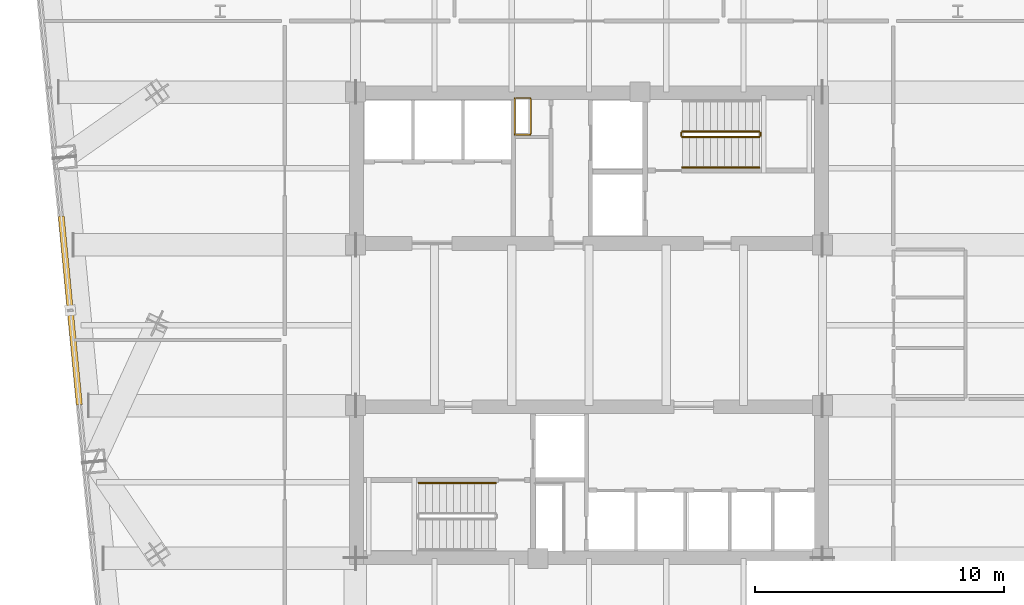
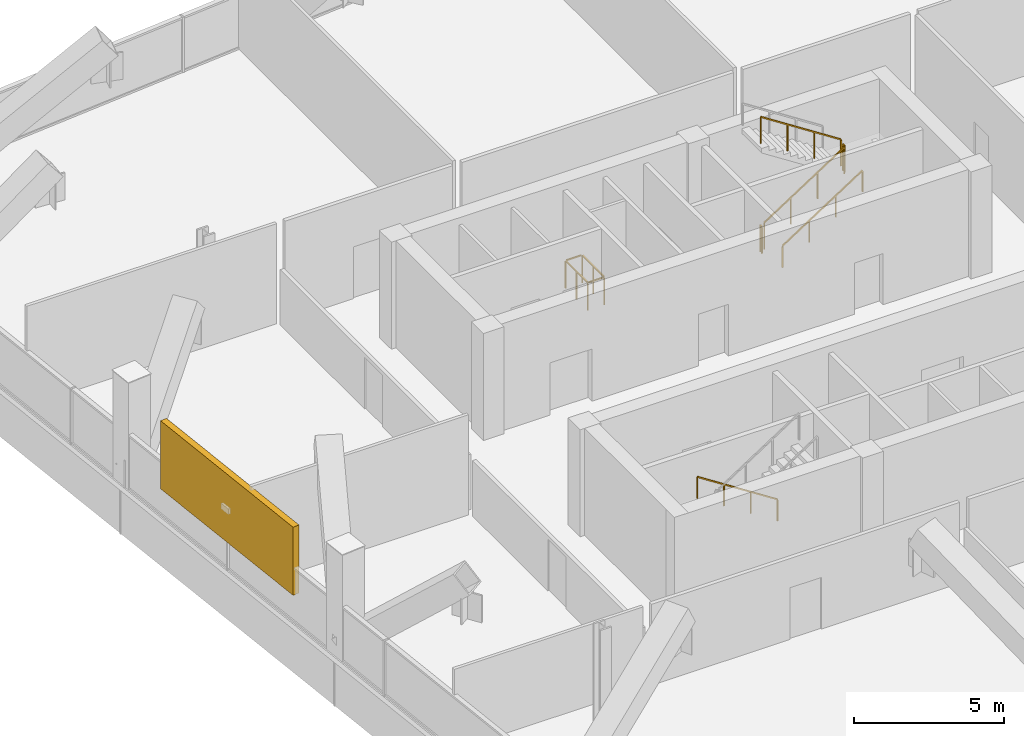
# One storey, part 29 of 30: 7 railings, 1 shading device.
"""IFC4 building model written with IfcOpenShell, lengths in metres."""

import ifcopenshell
import ifcopenshell.guid

model = None  # the IFC model being written
_history = None  # IfcOwnerHistory: only IFC2X3 demands one
_inside = {}  # id of a spatial element -> (the spatial element, [elements in it])
_under = {}  # id of a project, library or spatial element -> (it, [spatial elements below it])
_declared = {}  # id of a project -> (the project, [libraries it declares])
_typed = {}  # id of a type object -> (the type object, [elements of that type])
_made_of = {}  # id of a material, layer set ... -> (it, [elements and type objects made of it])


def new_model(schema):
    """Start an empty IFC model of exactly this schema.

    Asked for "IFC4X3", IfcOpenShell would pick the latest addendum, in which some entities
    have other attributes; the version numbers below select the first issue.
    IFC2X3 requires an IfcOwnerHistory on every rooted entity: one is made here for all.
    """
    global model, _history
    if schema == "IFC4X3":
        model = ifcopenshell.file(schema_version=(4, 3, 0, 0))
    else:
        model = ifcopenshell.file(schema=schema)
    _inside.clear()
    _under.clear()
    _declared.clear()
    _typed.clear()
    _made_of.clear()
    _history = None
    if model.schema == "IFC2X3":
        org = make("IfcOrganization", Name="unknown")
        user = make(
            "IfcPersonAndOrganization",
            ThePerson=make("IfcPerson", FamilyName="unknown"),
            TheOrganization=org,
        )
        app = make(
            "IfcApplication",
            ApplicationDeveloper=org,
            Version="unknown",
            ApplicationFullName="unknown",
            ApplicationIdentifier="unknown",
        )
        _history = make(
            "IfcOwnerHistory",
            OwningUser=user,
            OwningApplication=app,
            ChangeAction="ADDED",
            CreationDate=0,
        )
    return model


def make(cls, **values):
    """One entity of the class cls with the attributes given. An attribute that is None is left unset."""
    return model.create_entity(
        cls, **{name: value for name, value in values.items() if value is not None}
    )


def rooted(cls, **values):
    """An entity with a GlobalId (a new one), such as an element, a storey or a relation."""
    return make(cls, GlobalId=ifcopenshell.guid.new(), OwnerHistory=_history, **values)


def si_unit(unit_type, name, prefix=None):
    """IfcSIUnit, for example si_unit("LENGTHUNIT", "METRE", prefix="MILLI")."""
    return make("IfcSIUnit", UnitType=unit_type, Prefix=prefix, Name=name)


def assignment(units):
    """IfcUnitAssignment: the units of a project."""
    return None if units is None else make("IfcUnitAssignment", Units=units)


def point(xyz):
    """IfcCartesianPoint."""
    return None if xyz is None else make("IfcCartesianPoint", Coordinates=xyz)


def direction(xyz):
    """IfcDirection."""
    return None if xyz is None else make("IfcDirection", DirectionRatios=xyz)


def frame(location, z_axis=None, x_axis=None):
    """IfcAxis2Placement3D, a coordinate frame: its origin and axes. An axis left out is left unset."""
    return make(
        "IfcAxis2Placement3D",
        Location=point(location),
        Axis=direction(z_axis),
        RefDirection=direction(x_axis),
    )


def frame_2d(location, x_axis=None):
    """IfcAxis2Placement2D, a coordinate frame in the plane: its origin and x axis."""
    return make(
        "IfcAxis2Placement2D", Location=point(location), RefDirection=direction(x_axis)
    )


def origin():
    """The frame at (0, 0, 0) with its axes left unset."""
    return frame((0.0, 0.0, 0.0))


def origin_2d():
    """The frame at (0, 0) in the plane with its x axis left unset."""
    return frame_2d((0.0, 0.0))


def place(relative_to, where):
    """IfcLocalPlacement: puts the frame where relative to a parent placement (None: the world)."""
    return make(
        "IfcLocalPlacement", PlacementRelTo=relative_to, RelativePlacement=where
    )


def context(
    kind, dimensions, precision=None, world=None, true_north=None, identifier=None
):
    """IfcGeometricRepresentationContext, for example the 3D "Model" context."""
    return make(
        "IfcGeometricRepresentationContext",
        ContextIdentifier=identifier,
        ContextType=kind,
        CoordinateSpaceDimension=dimensions,
        Precision=precision,
        WorldCoordinateSystem=world,
        TrueNorth=true_north,
    )


def subcontext(parent, identifier, kind, view, scale=None):
    """IfcGeometricRepresentationSubContext, for example "Body" below "Model"."""
    return make(
        "IfcGeometricRepresentationSubContext",
        ContextIdentifier=identifier,
        ContextType=kind,
        ParentContext=parent,
        TargetScale=scale,
        TargetView=view,
    )


def project(units=None, contexts=None):
    """IfcProject with its units and contexts."""
    return rooted(
        "IfcProject",
        Name="project",
        RepresentationContexts=contexts,
        UnitsInContext=assignment(units),
    )


def spatial(cls, under=None, at=None, **own):
    """A site, building, storey or space (cls), placed at a placement, below another one or the project."""
    s = rooted(cls, ObjectPlacement=at, **own)
    if under is not None:
        _under.setdefault(under.id(), (under, []))[1].append(s)
    return s


def profile(cls, at=None, kind="AREA", **sizes):
    """A parametric profile (cls). Its sizes go by their IFC names, for example OverallWidth=200.0."""
    return make(cls, ProfileType=kind, Position=at, **sizes)


def rectangle(**sizes):
    """IfcRectangleProfileDef."""
    return profile("IfcRectangleProfileDef", **sizes)


def extrude(swept, where, along, depth):
    """IfcExtrudedAreaSolid: the profile swept, set in the frame where, extruded along a direction by depth."""
    return make(
        "IfcExtrudedAreaSolid",
        SweptArea=swept,
        Position=where,
        ExtrudedDirection=direction(along),
        Depth=depth,
    )


def shape(context_of_items, identifier, shape_type, items):
    """IfcShapeRepresentation: the items that make up one representation, for example the "Body"."""
    return make(
        "IfcShapeRepresentation",
        ContextOfItems=context_of_items,
        RepresentationIdentifier=identifier,
        RepresentationType=shape_type,
        Items=items,
    )


def material(Name=None, Category=None):
    """IfcMaterial."""
    return make("IfcMaterial", Name=Name, Category=Category)


def made_of(thing, what):
    """Note that an element or type object is made of a material, layer set ...; save() writes the relation."""
    if what is not None:
        _made_of.setdefault(what.id(), (what, []))[1].append(thing)
    return thing


def type_object(cls, material=None, **own):
    """A type object (cls), such as IfcWallType, which elements share."""
    return made_of(rooted(cls, **own), material)


def element(
    cls,
    number,
    at=None,
    inside=None,
    cuts=None,
    type_object=None,
    material=None,
    context=None,
    identifier="Body",
    shape_type=None,
    held_by="IfcProductDefinitionShape",
    body=None,
    shapes=None,
    **own,
):
    """One element of the class cls, such as IfcWall. Its Tag is "e" and its number.

    at: its placement. inside: the storey or other place that contains it. cuts: it is an
    opening in that element (IfcRelVoidsElement). A single representation is given by context,
    identifier, shape_type and body (its items); several are given by shapes. held_by: the class
    of the entity that holds the representations. save() writes the other relations.
    """
    e = rooted(cls, Tag="e%d" % number, ObjectPlacement=at, **own)
    if body is not None:
        shapes = [shape(context, identifier, shape_type, body)]
    if shapes is not None:
        e.Representation = make(held_by, Representations=shapes)
    if inside is not None:
        _inside.setdefault(inside.id(), (inside, []))[1].append(e)
    if cuts is not None:
        rooted(
            "IfcRelVoidsElement", RelatingBuildingElement=cuts, RelatedOpeningElement=e
        )
    if type_object is not None:
        _typed.setdefault(type_object.id(), (type_object, []))[1].append(e)
    return made_of(e, material)


def aggregate(whole, parts):
    """IfcRelAggregates: a whole, such as a stair, and the parts it consists of."""
    return rooted("IfcRelAggregates", RelatingObject=whole, RelatedObjects=parts)


def save(model, path):
    """Write the relations noted so far, then the file.

    IfcRelAggregates (storeys below a building ...), IfcRelContainedInSpatialStructure (elements
    in a storey), IfcRelDefinesByType, IfcRelAssociatesMaterial and IfcRelDeclares: one each for
    every whole, place, type object, material and project.
    """
    for whole, parts in _under.values():
        aggregate(whole, parts)
    for where, things in _inside.values():
        rooted(
            "IfcRelContainedInSpatialStructure",
            RelatedElements=things,
            RelatingStructure=where,
        )
    for kind, things in _typed.values():
        rooted("IfcRelDefinesByType", RelatedObjects=things, RelatingType=kind)
    for what, things in _made_of.values():
        rooted("IfcRelAssociatesMaterial", RelatedObjects=things, RelatingMaterial=what)
    for by, libraries in _declared.values():
        rooted("IfcRelDeclares", RelatingContext=by, RelatedDefinitions=libraries)
    model.write(path)


model = new_model("IFC4")

# Units and contexts
model_context = context("Model", 3, precision=1e-05, world=origin(), true_north=direction((0.0, 1.0)))
body_context = subcontext(model_context, "Body", "Model", "MODEL_VIEW")
ifc_project = project(units=[si_unit("LENGTHUNIT", "METRE"), si_unit("AREAUNIT", "SQUARE_METRE"), si_unit("VOLUMEUNIT", "CUBIC_METRE"), si_unit("PLANEANGLEUNIT", "RADIAN"), si_unit("MASSUNIT", "GRAM", prefix="KILO")], contexts=[model_context])

# Site, building, storey
site_placement = place(None, origin())
site = spatial("IfcSite", under=ifc_project, at=site_placement, CompositionType="ELEMENT")
building_placement = place(site_placement, origin())
building = spatial("IfcBuilding", under=site, at=building_placement, Name="Qhalaya Broadcast Tower", CompositionType="ELEMENT")
storey_placement = place(building_placement, frame((0.0, 0.0, 96.89990234375)))
storey = spatial("IfcBuildingStorey", under=building, at=storey_placement, Name="L28", CompositionType="ELEMENT", Elevation=96.89990234375)

# Railings
ifc_material_1 = material(Name="Powder-Coated Galvanised Steel", Category="steel")
railing_type_1 = type_object("IfcRailingType", Name="Stair Wall Handrail 900", PredefinedType="HANDRAIL", material=ifc_material_1)
railing_1_placement = place(storey_placement, frame((3.75, 6.929931640625, 0.181396484375)))
element("IfcRailing", 1, at=railing_1_placement, inside=storey, type_object=railing_type_1, Name="L28 ST-1 Stair Handrail 1", PredefinedType="HANDRAIL", context=body_context, shape_type="SweptSolid", body=[
    extrude(rectangle(XDim=0.048095703125, YDim=0.048095703125, at=origin_2d()), frame((0.0, 0.0, 0.8759765625), z_axis=(0.839488025565, 0.0, 0.543378187759), x_axis=(0.0, 1.0, 0.0)), (0.0, 0.0, 1.0), 3.6689453125),
    extrude(rectangle(XDim=0.0419921875, YDim=0.0419921875, at=origin_2d()), origin(), (0.0, 0.0, 1.0), 0.849853515625),
    extrude(rectangle(XDim=0.0419921875, YDim=0.0419921875, at=origin_2d()), frame((1.026611328125, 0.0, 0.66455078125)), (0.0, 0.0, 1.0), 0.849853515625),
    extrude(rectangle(XDim=0.0419921875, YDim=0.0419921875, at=origin_2d()), frame((2.053466796875, 0.0, 1.3291015625)), (0.0, 0.0, 1.0), 0.849853515625),
    extrude(rectangle(XDim=0.0419921875, YDim=0.0419921875, at=origin_2d()), frame((3.080078125, 0.0, 1.99365234375)), (0.0, 0.0, 1.0), 0.849853515625),
])
railing_2_placement = place(storey_placement, frame((-3.75, -5.72998046875, 0.181396484375)))
element("IfcRailing", 2, at=railing_2_placement, inside=storey, type_object=railing_type_1, Name="L28 ST-2 Stair Handrail 1", PredefinedType="HANDRAIL", context=body_context, shape_type="SweptSolid", body=[
    extrude(rectangle(XDim=0.048095703125, YDim=0.048095703125, at=origin_2d()), frame((0.0, 0.0, 0.8759765625), z_axis=(-0.839488025565, 0.0, 0.543378187759), x_axis=(0.0, -1.0, 0.0)), (0.0, 0.0, 1.0), 3.6689453125),
    extrude(rectangle(XDim=0.0419921875, YDim=0.0419921875, at=origin_2d()), origin(), (0.0, 0.0, 1.0), 0.849853515625),
    extrude(rectangle(XDim=0.0419921875, YDim=0.0419921875, at=origin_2d()), frame((-1.026611328125, 0.0, 0.66455078125)), (0.0, 0.0, 1.0), 0.849853515625),
    extrude(rectangle(XDim=0.0419921875, YDim=0.0419921875, at=origin_2d()), frame((-2.053466796875, 0.0, 1.3291015625)), (0.0, 0.0, 1.0), 0.849853515625),
    extrude(rectangle(XDim=0.0419921875, YDim=0.0419921875, at=origin_2d()), frame((-3.080078125, 0.0, 1.99365234375)), (0.0, 0.0, 1.0), 0.849853515625),
])
railing_type_2 = type_object("IfcRailingType", Name="Stair Well & Landing Guardrail 1100", PredefinedType="GUARDRAIL", material=ifc_material_1)
railing_3_placement = place(storey_placement, frame((-2.340087890625, 8.239990234375, 0.0)))
element("IfcRailing", 3, at=railing_3_placement, inside=storey, type_object=railing_type_2, Name="L28 Service Riser Opening Safety Guard NRSR", PredefinedType="GUARDRAIL", context=body_context, shape_type="SweptSolid", body=[
    extrude(rectangle(XDim=0.048095703125, YDim=0.048095703125, at=origin_2d()), frame((0.0, 0.02880859375, 1.1259765625), z_axis=(0.0, 1.0, 0.0), x_axis=(-1.0, 0.0, 0.0)), (0.0, 0.0, 1.0), 1.42236328125),
    extrude(rectangle(XDim=0.048095703125, YDim=0.048095703125, at=origin_2d()), frame((-0.02880859375, 1.47998046875, 1.1259765625), z_axis=(-1.0, 0.0, 0.0), x_axis=(0.0, -1.0, 0.0)), (0.0, 0.0, 1.0), 0.582275390625),
    extrude(rectangle(XDim=0.048095703125, YDim=0.048095703125, at=origin_2d()), frame((-0.639892578125, 1.451171875, 1.1259765625), z_axis=(0.0, -1.0, 0.0), x_axis=(1.0, 0.0, 0.0)), (0.0, 0.0, 1.0), 1.42236328125),
    extrude(rectangle(XDim=0.048095703125, YDim=0.048095703125, at=origin_2d()), frame((-0.611083984375, 0.0, 1.1259765625), z_axis=(1.0, 0.0, 0.0), x_axis=(0.0, 1.0, 0.0)), (0.0, 0.0, 1.0), 0.582275390625),
    extrude(rectangle(XDim=0.0419921875, YDim=0.0419921875, at=origin_2d()), origin(), (0.0, 0.0, 1.0), 1.099853515625),
    extrude(rectangle(XDim=0.0419921875, YDim=0.0419921875, at=origin_2d()), frame((0.0, 0.739990234375, 0.0)), (0.0, 0.0, 1.0), 1.099853515625),
    extrude(rectangle(XDim=0.0419921875, YDim=0.0419921875, at=origin_2d()), frame((0.0, 1.47998046875, 0.0)), (0.0, 0.0, 1.0), 1.099853515625),
    extrude(rectangle(XDim=0.0419921875, YDim=0.0419921875, at=origin_2d()), frame((-0.639892578125, 1.47998046875, 0.0)), (0.0, 0.0, 1.0), 1.099853515625),
    extrude(rectangle(XDim=0.0419921875, YDim=0.0419921875, at=origin_2d()), frame((-0.639892578125, 0.739990234375, 0.0)), (0.0, 0.0, 1.0), 1.099853515625),
    extrude(rectangle(XDim=0.0419921875, YDim=0.0419921875, at=origin_2d()), frame((-0.639892578125, 0.0, 0.0)), (0.0, 0.0, 1.0), 1.099853515625),
])
railing_4_placement = place(storey_placement, frame((3.75, 8.14990234375, 0.181396484375)))
element("IfcRailing", 4, at=railing_4_placement, inside=storey, type_object=railing_type_2, Name="L28 ST-1 Stair Guard 1", PredefinedType="GUARDRAIL", context=body_context, shape_type="SweptSolid", body=[
    extrude(rectangle(XDim=0.048095703125, YDim=0.048095703125, at=origin_2d()), frame((0.0, 0.0, 1.076171875), z_axis=(0.839488025565, 0.0, 0.543378187759), x_axis=(0.0, 1.0, 0.0)), (0.0, 0.0, 1.0), 3.6689453125),
    extrude(rectangle(XDim=0.0419921875, YDim=0.0419921875, at=origin_2d()), origin(), (0.0, 0.0, 1.0), 1.050048828125),
    extrude(rectangle(XDim=0.0419921875, YDim=0.0419921875, at=origin_2d()), frame((1.026611328125, 0.0, 0.66455078125)), (0.0, 0.0, 1.0), 1.050048828125),
    extrude(rectangle(XDim=0.0419921875, YDim=0.0419921875, at=origin_2d()), frame((2.053466796875, 0.0, 1.3291015625)), (0.0, 0.0, 1.0), 1.050048828125),
    extrude(rectangle(XDim=0.0419921875, YDim=0.0419921875, at=origin_2d()), frame((3.080078125, 0.0, 1.99365234375)), (0.0, 0.0, 1.0), 1.050048828125),
])
railing_5_placement = place(storey_placement, frame((6.8798828125, 8.199951171875, 2.175048828125)))
element("IfcRailing", 5, at=railing_5_placement, inside=storey, type_object=railing_type_2, Name="L28 ST-1 Stair Guard 2", PredefinedType="GUARDRAIL", context=body_context, shape_type="SweptSolid", body=[
    extrude(rectangle(XDim=0.048095703125, YDim=0.048095703125, at=origin_2d()), frame((0.0, 0.0, 1.076171875), z_axis=(0.0, 1.0, 0.0), x_axis=(-1.0, 0.0, 0.0)), (0.0, 0.0, 1.0), 0.1201171875),
    extrude(rectangle(XDim=0.0419921875, YDim=0.0419921875, at=origin_2d()), origin(), (0.0, 0.0, 1.0), 1.050048828125),
    extrude(rectangle(XDim=0.0419921875, YDim=0.0419921875, at=origin_2d()), frame((0.0, 0.1201171875, 0.0)), (0.0, 0.0, 1.0), 1.050048828125),
])
railing_6_placement = place(storey_placement, frame((6.830078125, 8.3701171875, 2.3564453125)))
element("IfcRailing", 6, at=railing_6_placement, inside=storey, type_object=railing_type_2, Name="L28 ST-1 Stair Guard 3", PredefinedType="GUARDRAIL", context=body_context, shape_type="SweptSolid", body=[
    extrude(rectangle(XDim=0.048095703125, YDim=0.048095703125, at=origin_2d()), frame((0.0, 0.0, 1.076171875), z_axis=(-0.839488025565, 0.0, 0.543378187759), x_axis=(0.0, -1.0, 0.0)), (0.0, 0.0, 1.0), 3.6689453125),
    extrude(rectangle(XDim=0.0419921875, YDim=0.0419921875, at=origin_2d()), origin(), (0.0, 0.0, 1.0), 1.050048828125),
    extrude(rectangle(XDim=0.0419921875, YDim=0.0419921875, at=origin_2d()), frame((-1.026611328125, 0.0, 0.66455078125)), (0.0, 0.0, 1.0), 1.050048828125),
    extrude(rectangle(XDim=0.0419921875, YDim=0.0419921875, at=origin_2d()), frame((-2.053466796875, 0.0, 1.3291015625)), (0.0, 0.0, 1.0), 1.050048828125),
    extrude(rectangle(XDim=0.0419921875, YDim=0.0419921875, at=origin_2d()), frame((-3.080078125, 0.0, 1.99365234375)), (0.0, 0.0, 1.0), 1.050048828125),
])
railing_7_placement = place(storey_placement, frame((3.699951171875, 8.199951171875, 0.0)))
element("IfcRailing", 7, at=railing_7_placement, inside=storey, type_object=railing_type_2, Name="L28 ST-1 Stair Guard 4", PredefinedType="GUARDRAIL", context=body_context, shape_type="SweptSolid", body=[
    extrude(rectangle(XDim=0.048095703125, YDim=0.048095703125, at=origin_2d()), frame((0.0, 0.0, 1.076171875), z_axis=(0.0, 1.0, 0.0), x_axis=(-1.0, 0.0, 0.0)), (0.0, 0.0, 1.0), 0.1201171875),
    extrude(rectangle(XDim=0.0419921875, YDim=0.0419921875, at=origin_2d()), origin(), (0.0, 0.0, 1.0), 1.050048828125),
    extrude(rectangle(XDim=0.0419921875, YDim=0.0419921875, at=origin_2d()), frame((0.0, 0.1201171875, 0.0)), (0.0, 0.0, 1.0), 1.050048828125),
])

# Shading device
ifc_material_2 = material(Name="Fired Architectural Terracotta", Category="masonry")
shading_device_type = type_object("IfcShadingDeviceType", Name="Terracotta Baguette Solar Screen Assembly TBS-01", PredefinedType="USERDEFINED", material=ifc_material_2)
shading_device_placement = place(storey_placement, frame((-20.807373046875, 1.195556640625, 1.139404296875), z_axis=(0.0, 0.0, 1.0), x_axis=(0.09584575252, -0.995396198367, 0.0)))
element("IfcShadingDevice", 8, at=shading_device_placement, inside=storey, type_object=shading_device_type, Name="L28 Fired Terracotta Baguette Screen W", ObjectType="BAGUETTE", PredefinedType="USERDEFINED", context=body_context, shape_type="SweptSolid", body=[
    extrude(rectangle(XDim=7.60009765625, YDim=0.239990234375, at=origin_2d()), origin(), (0.0, 0.0, 1.0), 2.76806640625),
])

save(model, "model.ifc")
